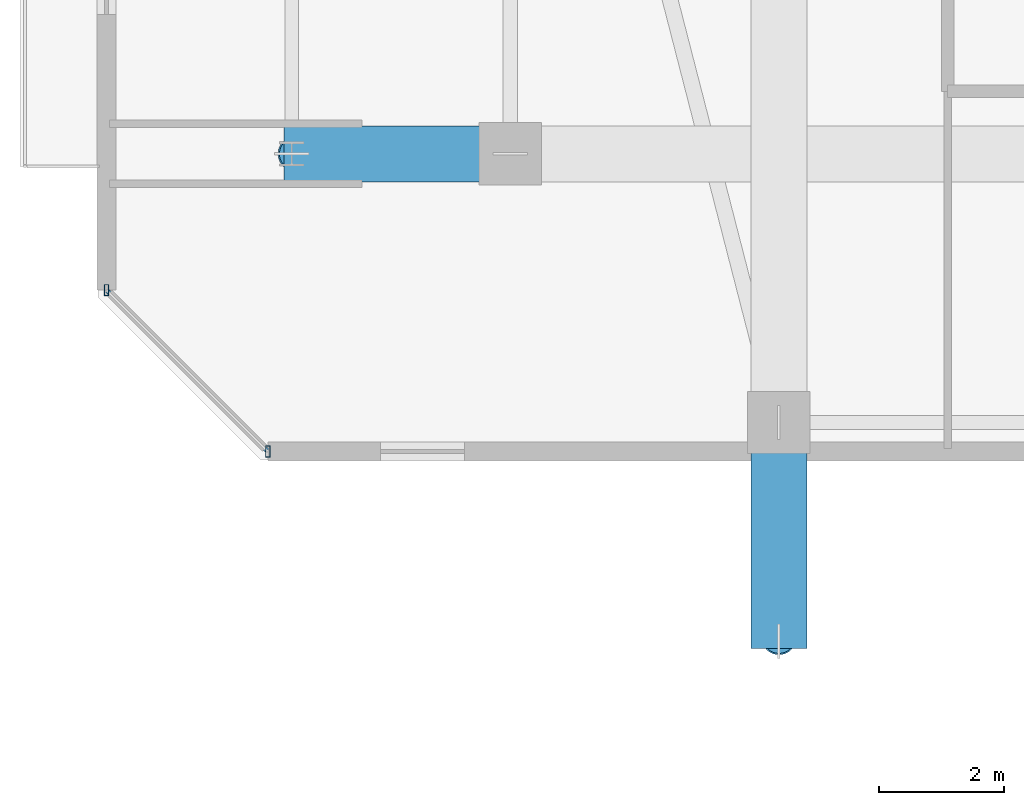
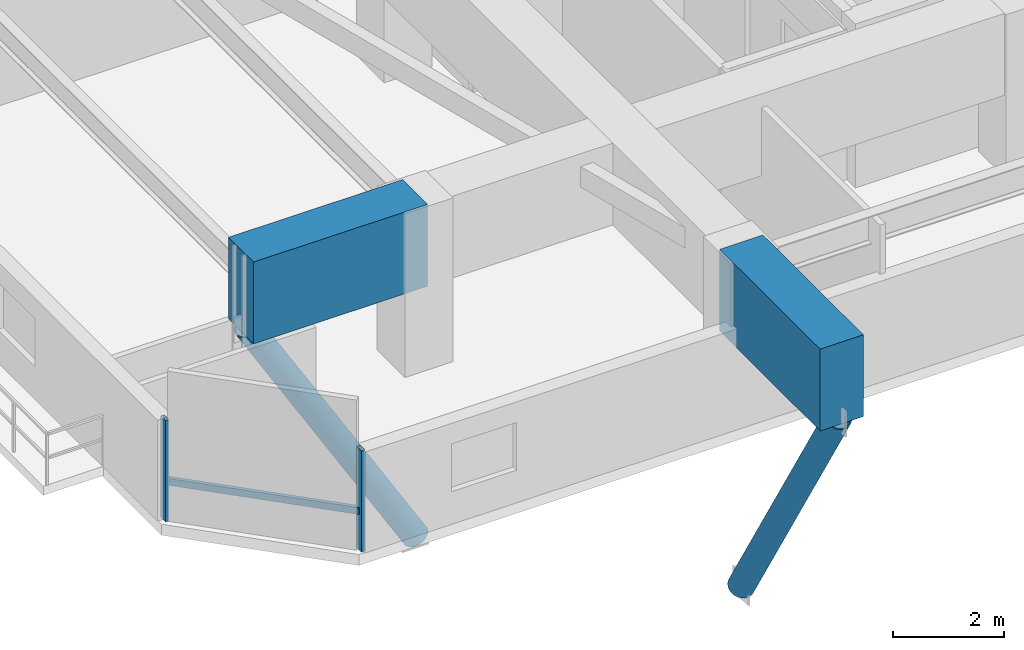
# One storey, part 3 of 35: 5 members, 2 beams, 1 element without a shape of its own.
"""IFC4 building model written with IfcOpenShell, lengths in metres."""

from ifc_helpers import new_model, si_unit, direction, frame, origin, origin_2d, place, context, subcontext, project, spatial, rectangle, hollow_rectangle, hollow_circle, extrude, material, material_profile, profile_set, type_object, element, aggregate, save


model = new_model("IFC4")

# Units and contexts
model_context = context("Model", 3, precision=1e-05, world=origin(), true_north=direction((0.0, 1.0)))
body_context = subcontext(model_context, "Body", "Model", "MODEL_VIEW")
ifc_project = project(units=[si_unit("LENGTHUNIT", "METRE"), si_unit("AREAUNIT", "SQUARE_METRE"), si_unit("VOLUMEUNIT", "CUBIC_METRE"), si_unit("PLANEANGLEUNIT", "RADIAN"), si_unit("MASSUNIT", "GRAM", prefix="KILO")], contexts=[model_context])

# Site, building, storey
site_placement = place(None, origin())
site = spatial("IfcSite", under=ifc_project, at=site_placement, CompositionType="ELEMENT")
building_placement = place(site_placement, origin())
building = spatial("IfcBuilding", under=site, at=building_placement, Name="Thornwick Lancets Civic Towers", CompositionType="ELEMENT")
storey_placement = place(building_placement, frame((0.0, 0.0, 225.89990234375)))
storey = spatial("IfcBuildingStorey", under=building, at=storey_placement, Name="L60", CompositionType="ELEMENT", Elevation=225.89990234375)

# Beams
ifc_material_1 = material(Name="Concrete C60/75", Category="concrete")
ifc_material_profile_1 = material_profile(ifc_material_1, rectangle(XDim=0.89990234375, YDim=1.800048828125, at=origin_2d()), Name="RC 900x1800")
ifc_profile_set_1 = profile_set([ifc_material_profile_1], Name="Concrete C60/75")
beam_type = type_object("IfcBeamType", Name="BM_TR_RC1800", PredefinedType="BEAM", material=ifc_profile_set_1)
for number, where, z_axis, x_axis, name in (
    (1, (12.5, 9.699951171875, 2.7001953125), (0.0, -1.0, 0.0), (1.0, 0.0, 0.0), "TG-CANT-L61-A01"),
    (2, (8.199951171875, 14.0, 2.7001953125), (-1.0, 0.0, 0.0), (0.0, -1.0, 0.0), "TG-CANT-L61-A10"),
):
    element("IfcBeam", number, at=place(storey_placement, frame(where, z_axis=z_axis, x_axis=x_axis)), inside=storey, type_object=beam_type, Name=name, PredefinedType="BEAM", context=body_context, shape_type="SweptSolid", body=[
        extrude(rectangle(XDim=0.89990234375, YDim=1.800048828125, at=origin_2d()), origin(), (0.0, 0.0, 1.0), 3.619873046875),
    ])

# Curtain wall, members
ifc_material_2 = material(Name="High-zone chamfered-corner unitised glass curtain wall", Category="glass")
curtain_wall_type = type_object("IfcCurtainWallType", Name="CW_SYS_05", PredefinedType="NOTDEFINED", material=ifc_material_2)
curtain_wall_placement = place(storey_placement, origin())
curtain_wall = element("IfcCurtainWall", 3, at=curtain_wall_placement, inside=storey, type_object=curtain_wall_type, Name="L60 Curtain Wall CW-L60-A-E7", PredefinedType="NOTDEFINED")
ifc_material_3 = material(Name="Thermally broken bronze aluminium S355", Category="steel")
ifc_material_profile_2 = material_profile(ifc_material_3, hollow_rectangle(XDim=0.074951171875, YDim=0.179931640625, WallThickness=0.006103515625, at=origin_2d()), Name="RHS 180x75x6")
ifc_profile_set_2 = profile_set([ifc_material_profile_2], Name="Thermally broken bronze aluminium S355")
member_type_1 = type_object("IfcMemberType", Name="CW_MUL_180", PredefinedType="MULLION", material=ifc_profile_set_2)
member_1_placement = place(storey_placement, frame((1.7353515625, 11.818603515625, 0.0), z_axis=(0.0, 0.0, 1.0), x_axis=(1.0, 0.0, 0.0)))
member_1 = element("IfcMember", 4, at=member_1_placement, type_object=member_type_1, Name="CW-L60-A-E7 Mullion 0", PredefinedType="MULLION", context=body_context, shape_type="SweptSolid", body=[
    extrude(hollow_rectangle(XDim=0.074951171875, YDim=0.179931640625, WallThickness=0.006103515625, at=origin_2d()), origin(), (0.0, 0.0, 1.0), 2.22021484375),
])
member_2_placement = place(storey_placement, frame((4.318603515625, 9.2353515625, 0.0), z_axis=(0.0, 0.0, 1.0), x_axis=(1.0, 0.0, 0.0)))
member_2 = element("IfcMember", 5, at=member_2_placement, type_object=member_type_1, Name="CW-L60-A-E7 Mullion 1", PredefinedType="MULLION", context=body_context, shape_type="SweptSolid", body=[
    extrude(hollow_rectangle(XDim=0.074951171875, YDim=0.179931640625, WallThickness=0.006103515625, at=origin_2d()), origin(), (0.0, 0.0, 1.0), 2.22021484375),
])
ifc_material_profile_3 = material_profile(ifc_material_3, hollow_rectangle(XDim=0.074951171875, YDim=0.14990234375, WallThickness=0.0048828125, at=origin_2d()), Name="RHS 150x75x5")
ifc_profile_set_3 = profile_set([ifc_material_profile_3], Name="Thermally broken bronze aluminium S355")
member_type_2 = type_object("IfcMemberType", Name="CW_TRN_150", PredefinedType="USERDEFINED", material=ifc_profile_set_3)
member_3_placement = place(storey_placement, frame((1.74951171875, 11.804443359375, 0.85009765625), z_axis=(0.707106781187, -0.707106781187, 0.0), x_axis=(0.707106781187, 0.707106781187, 0.0)))
member_3 = element("IfcMember", 6, at=member_3_placement, type_object=member_type_2, Name="CW-L60-A-E7 Transom 0", ObjectType="TRANSOM", PredefinedType="USERDEFINED", context=body_context, shape_type="SweptSolid", body=[
    extrude(hollow_rectangle(XDim=0.074951171875, YDim=0.14990234375, WallThickness=0.0048828125, at=origin_2d()), origin(), (0.0, 0.0, 1.0), 3.61328125),
])
aggregate(curtain_wall, [member_1, member_2, member_3])

# Members
ifc_material_4 = material(Name="Steel S460M", Category="steel")
ifc_material_profile_4 = material_profile(ifc_material_4, hollow_circle(Radius=0.25390625, WallThickness=0.02490234375, at=origin_2d()), Name="CHS 508x25")
ifc_profile_set_4 = profile_set([ifc_material_profile_4], Name="Steel S460M")
member_type_3 = type_object("IfcMemberType", Name="MEM_STRUT_CHS508", PredefinedType="STRUT", material=ifc_profile_set_4)
for number, where, z_axis, x_axis, name in (
    (7, (12.5, 9.699951171875, -3.949951171875), (0.0, -0.514706934567, 0.857366182858), (1.0, 0.0, 0.0), "L61 Jenga Transfer Raking Strut A01"),
    (8, (8.199951171875, 14.0, -3.949951171875), (-0.514706934567, 0.0, 0.857366182858), (0.0, -1.0, 0.0), "L61 Jenga Transfer Raking Strut A10"),
):
    element("IfcMember", number, at=place(storey_placement, frame(where, z_axis=z_axis, x_axis=x_axis)), inside=storey, type_object=member_type_3, Name=name, PredefinedType="STRUT", context=body_context, shape_type="SweptSolid", body=[
        extrude(hollow_circle(Radius=0.25390625, WallThickness=0.02490234375, at=origin_2d()), origin(), (0.0, 0.0, 1.0), 6.800048828125),
    ])

save(model, "model.ifc")
